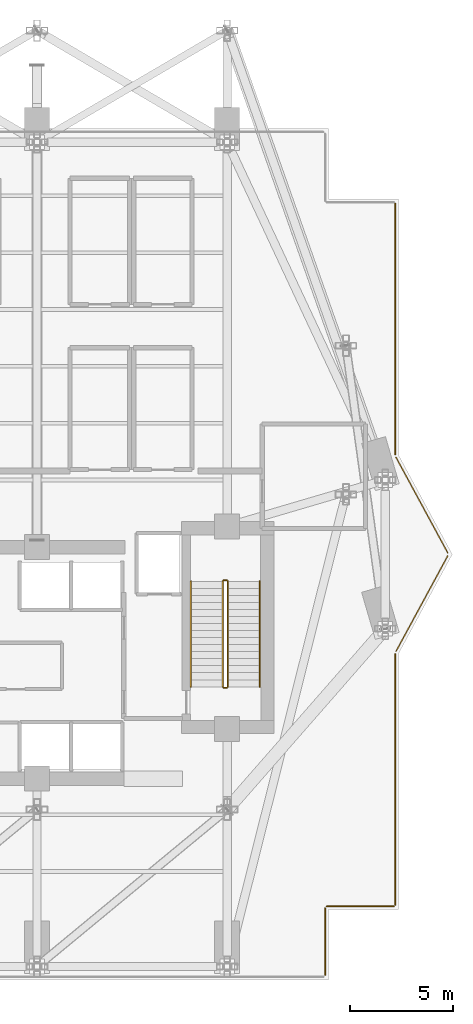
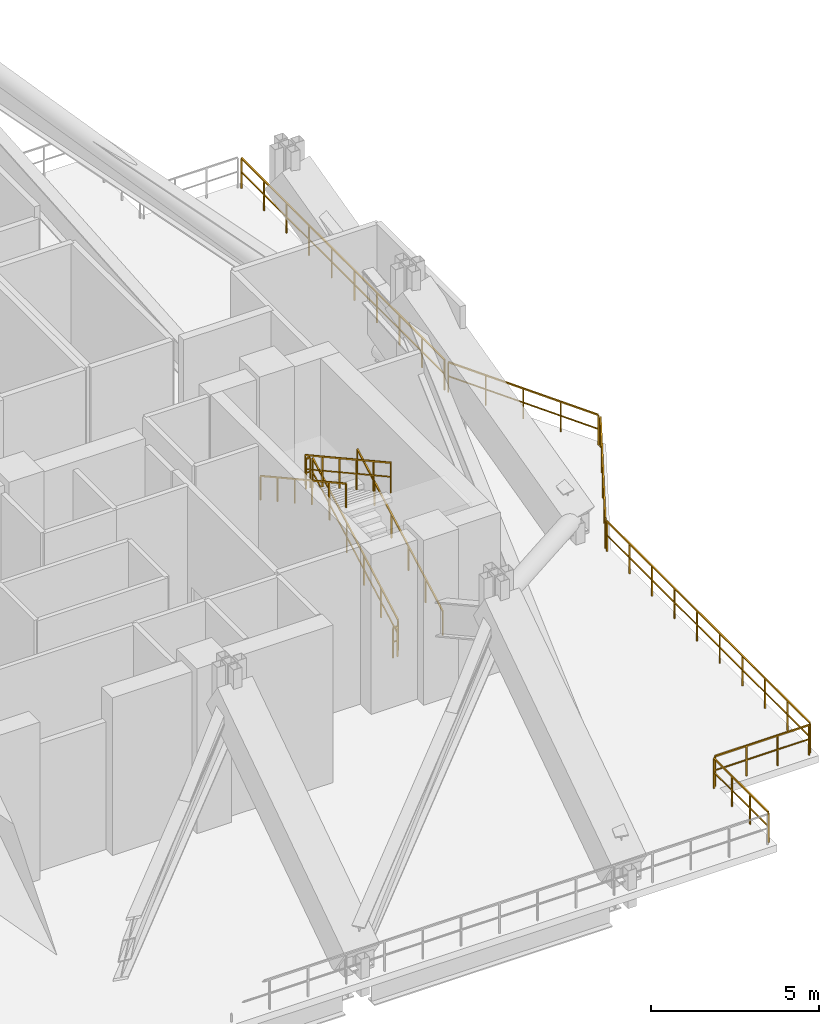
# One storey, part 17 of 18: 12 railings.
"""IFC4 building model written with IfcOpenShell, lengths in metres."""

import ifcopenshell
import ifcopenshell.guid

model = None  # the IFC model being written
_history = None  # IfcOwnerHistory: only IFC2X3 demands one
_inside = {}  # id of a spatial element -> (the spatial element, [elements in it])
_under = {}  # id of a project, library or spatial element -> (it, [spatial elements below it])
_declared = {}  # id of a project -> (the project, [libraries it declares])
_typed = {}  # id of a type object -> (the type object, [elements of that type])
_made_of = {}  # id of a material, layer set ... -> (it, [elements and type objects made of it])


def new_model(schema):
    """Start an empty IFC model of exactly this schema.

    Asked for "IFC4X3", IfcOpenShell would pick the latest addendum, in which some entities
    have other attributes; the version numbers below select the first issue.
    IFC2X3 requires an IfcOwnerHistory on every rooted entity: one is made here for all.
    """
    global model, _history
    if schema == "IFC4X3":
        model = ifcopenshell.file(schema_version=(4, 3, 0, 0))
    else:
        model = ifcopenshell.file(schema=schema)
    _inside.clear()
    _under.clear()
    _declared.clear()
    _typed.clear()
    _made_of.clear()
    _history = None
    if model.schema == "IFC2X3":
        org = make("IfcOrganization", Name="unknown")
        user = make(
            "IfcPersonAndOrganization",
            ThePerson=make("IfcPerson", FamilyName="unknown"),
            TheOrganization=org,
        )
        app = make(
            "IfcApplication",
            ApplicationDeveloper=org,
            Version="unknown",
            ApplicationFullName="unknown",
            ApplicationIdentifier="unknown",
        )
        _history = make(
            "IfcOwnerHistory",
            OwningUser=user,
            OwningApplication=app,
            ChangeAction="ADDED",
            CreationDate=0,
        )
    return model


def make(cls, **values):
    """One entity of the class cls with the attributes given. An attribute that is None is left unset."""
    return model.create_entity(
        cls, **{name: value for name, value in values.items() if value is not None}
    )


def rooted(cls, **values):
    """An entity with a GlobalId (a new one), such as an element, a storey or a relation."""
    return make(cls, GlobalId=ifcopenshell.guid.new(), OwnerHistory=_history, **values)


def si_unit(unit_type, name, prefix=None):
    """IfcSIUnit, for example si_unit("LENGTHUNIT", "METRE", prefix="MILLI")."""
    return make("IfcSIUnit", UnitType=unit_type, Prefix=prefix, Name=name)


def assignment(units):
    """IfcUnitAssignment: the units of a project."""
    return None if units is None else make("IfcUnitAssignment", Units=units)


def point(xyz):
    """IfcCartesianPoint."""
    return None if xyz is None else make("IfcCartesianPoint", Coordinates=xyz)


def direction(xyz):
    """IfcDirection."""
    return None if xyz is None else make("IfcDirection", DirectionRatios=xyz)


def frame(location, z_axis=None, x_axis=None):
    """IfcAxis2Placement3D, a coordinate frame: its origin and axes. An axis left out is left unset."""
    return make(
        "IfcAxis2Placement3D",
        Location=point(location),
        Axis=direction(z_axis),
        RefDirection=direction(x_axis),
    )


def frame_2d(location, x_axis=None):
    """IfcAxis2Placement2D, a coordinate frame in the plane: its origin and x axis."""
    return make(
        "IfcAxis2Placement2D", Location=point(location), RefDirection=direction(x_axis)
    )


def origin():
    """The frame at (0, 0, 0) with its axes left unset."""
    return frame((0.0, 0.0, 0.0))


def origin_2d():
    """The frame at (0, 0) in the plane with its x axis left unset."""
    return frame_2d((0.0, 0.0))


def place(relative_to, where):
    """IfcLocalPlacement: puts the frame where relative to a parent placement (None: the world)."""
    return make(
        "IfcLocalPlacement", PlacementRelTo=relative_to, RelativePlacement=where
    )


def context(
    kind, dimensions, precision=None, world=None, true_north=None, identifier=None
):
    """IfcGeometricRepresentationContext, for example the 3D "Model" context."""
    return make(
        "IfcGeometricRepresentationContext",
        ContextIdentifier=identifier,
        ContextType=kind,
        CoordinateSpaceDimension=dimensions,
        Precision=precision,
        WorldCoordinateSystem=world,
        TrueNorth=true_north,
    )


def subcontext(parent, identifier, kind, view, scale=None):
    """IfcGeometricRepresentationSubContext, for example "Body" below "Model"."""
    return make(
        "IfcGeometricRepresentationSubContext",
        ContextIdentifier=identifier,
        ContextType=kind,
        ParentContext=parent,
        TargetScale=scale,
        TargetView=view,
    )


def project(units=None, contexts=None):
    """IfcProject with its units and contexts."""
    return rooted(
        "IfcProject",
        Name="project",
        RepresentationContexts=contexts,
        UnitsInContext=assignment(units),
    )


def spatial(cls, under=None, at=None, **own):
    """A site, building, storey or space (cls), placed at a placement, below another one or the project."""
    s = rooted(cls, ObjectPlacement=at, **own)
    if under is not None:
        _under.setdefault(under.id(), (under, []))[1].append(s)
    return s


def profile(cls, at=None, kind="AREA", **sizes):
    """A parametric profile (cls). Its sizes go by their IFC names, for example OverallWidth=200.0."""
    return make(cls, ProfileType=kind, Position=at, **sizes)


def rectangle(**sizes):
    """IfcRectangleProfileDef."""
    return profile("IfcRectangleProfileDef", **sizes)


def extrude(swept, where, along, depth):
    """IfcExtrudedAreaSolid: the profile swept, set in the frame where, extruded along a direction by depth."""
    return make(
        "IfcExtrudedAreaSolid",
        SweptArea=swept,
        Position=where,
        ExtrudedDirection=direction(along),
        Depth=depth,
    )


def shape(context_of_items, identifier, shape_type, items):
    """IfcShapeRepresentation: the items that make up one representation, for example the "Body"."""
    return make(
        "IfcShapeRepresentation",
        ContextOfItems=context_of_items,
        RepresentationIdentifier=identifier,
        RepresentationType=shape_type,
        Items=items,
    )


def material(Name=None, Category=None):
    """IfcMaterial."""
    return make("IfcMaterial", Name=Name, Category=Category)


def made_of(thing, what):
    """Note that an element or type object is made of a material, layer set ...; save() writes the relation."""
    if what is not None:
        _made_of.setdefault(what.id(), (what, []))[1].append(thing)
    return thing


def type_object(cls, material=None, **own):
    """A type object (cls), such as IfcWallType, which elements share."""
    return made_of(rooted(cls, **own), material)


def element(
    cls,
    number,
    at=None,
    inside=None,
    cuts=None,
    type_object=None,
    material=None,
    context=None,
    identifier="Body",
    shape_type=None,
    held_by="IfcProductDefinitionShape",
    body=None,
    shapes=None,
    **own,
):
    """One element of the class cls, such as IfcWall. Its Tag is "e" and its number.

    at: its placement. inside: the storey or other place that contains it. cuts: it is an
    opening in that element (IfcRelVoidsElement). A single representation is given by context,
    identifier, shape_type and body (its items); several are given by shapes. held_by: the class
    of the entity that holds the representations. save() writes the other relations.
    """
    e = rooted(cls, Tag="e%d" % number, ObjectPlacement=at, **own)
    if body is not None:
        shapes = [shape(context, identifier, shape_type, body)]
    if shapes is not None:
        e.Representation = make(held_by, Representations=shapes)
    if inside is not None:
        _inside.setdefault(inside.id(), (inside, []))[1].append(e)
    if cuts is not None:
        rooted(
            "IfcRelVoidsElement", RelatingBuildingElement=cuts, RelatedOpeningElement=e
        )
    if type_object is not None:
        _typed.setdefault(type_object.id(), (type_object, []))[1].append(e)
    return made_of(e, material)


def aggregate(whole, parts):
    """IfcRelAggregates: a whole, such as a stair, and the parts it consists of."""
    return rooted("IfcRelAggregates", RelatingObject=whole, RelatedObjects=parts)


def save(model, path):
    """Write the relations noted so far, then the file.

    IfcRelAggregates (storeys below a building ...), IfcRelContainedInSpatialStructure (elements
    in a storey), IfcRelDefinesByType, IfcRelAssociatesMaterial and IfcRelDeclares: one each for
    every whole, place, type object, material and project.
    """
    for whole, parts in _under.values():
        aggregate(whole, parts)
    for where, things in _inside.values():
        rooted(
            "IfcRelContainedInSpatialStructure",
            RelatedElements=things,
            RelatingStructure=where,
        )
    for kind, things in _typed.values():
        rooted("IfcRelDefinesByType", RelatedObjects=things, RelatingType=kind)
    for what, things in _made_of.values():
        rooted("IfcRelAssociatesMaterial", RelatedObjects=things, RelatingMaterial=what)
    for by, libraries in _declared.values():
        rooted("IfcRelDeclares", RelatingContext=by, RelatedDefinitions=libraries)
    model.write(path)


model = new_model("IFC4")

# Units and contexts
model_context = context("Model", 3, precision=1e-05, world=origin(), true_north=direction((0.0, 1.0)))
body_context = subcontext(model_context, "Body", "Model", "MODEL_VIEW")
ifc_project = project(units=[si_unit("LENGTHUNIT", "METRE"), si_unit("AREAUNIT", "SQUARE_METRE"), si_unit("VOLUMEUNIT", "CUBIC_METRE"), si_unit("PLANEANGLEUNIT", "RADIAN"), si_unit("MASSUNIT", "GRAM", prefix="KILO")], contexts=[model_context])

# Site, building, storey
site_placement = place(None, origin())
site = spatial("IfcSite", under=ifc_project, at=site_placement, CompositionType="ELEMENT")
building_placement = place(site_placement, origin())
building = spatial("IfcBuilding", under=site, at=building_placement, Name="Zuhayl Quay Hotel", CompositionType="ELEMENT")
storey_placement = place(building_placement, frame((0.0, 0.0, 233.64990234375)))
storey = spatial("IfcBuildingStorey", under=building, at=storey_placement, Name="L59", CompositionType="ELEMENT", Elevation=233.64990234375)

# Railings
ifc_material_1 = material(Name="Anodised Aluminium and Laminated Glass", Category="aluminium")
railing_type_1 = type_object("IfcRailingType", Name="RL_EXT_BAL_1100", PredefinedType="BALUSTRADE", material=ifc_material_1)
railing_1_placement = place(storey_placement, frame((21.93994140625, 29.9599609375, 0.0)))
element("IfcRailing", 1, at=railing_1_placement, inside=storey, type_object=railing_type_1, Name="L59 Balcony and Terrace Guard GR_WIND_L59_12", PredefinedType="BALUSTRADE", context=body_context, shape_type="SweptSolid", body=[
    extrude(rectangle(XDim=0.048095703125, YDim=0.048095703125, at=origin_2d()), frame((0.0, 0.0, 1.09619140625), z_axis=(0.0, -1.0, 0.0), x_axis=(1.0, 0.0, 0.0)), (0.0, 0.0, 1.0), 12.12060546875),
    extrude(rectangle(XDim=0.0361328125, YDim=0.0361328125, at=origin_2d()), frame((0.0, 0.0, 0.58251953125), z_axis=(0.0, -1.0, 0.0), x_axis=(1.0, 0.0, 0.0)), (0.0, 0.0, 1.0), 12.12060546875),
    extrude(rectangle(XDim=0.0419921875, YDim=0.0419921875, at=origin_2d()), origin(), (0.0, 0.0, 1.0), 1.072021484375),
    extrude(rectangle(XDim=0.0419921875, YDim=0.0419921875, at=origin_2d()), frame((0.0, -1.3466796875, 0.0)), (0.0, 0.0, 1.0), 1.072021484375),
    extrude(rectangle(XDim=0.0419921875, YDim=0.0419921875, at=origin_2d()), frame((0.0, -2.693359375, 0.0)), (0.0, 0.0, 1.0), 1.072021484375),
    extrude(rectangle(XDim=0.0419921875, YDim=0.0419921875, at=origin_2d()), frame((0.0, -4.040283203125, 0.0)), (0.0, 0.0, 1.0), 1.072021484375),
    extrude(rectangle(XDim=0.0419921875, YDim=0.0419921875, at=origin_2d()), frame((0.0, -5.386962890625, 0.0)), (0.0, 0.0, 1.0), 1.072021484375),
    extrude(rectangle(XDim=0.0419921875, YDim=0.0419921875, at=origin_2d()), frame((0.0, -6.733642578125, 0.0)), (0.0, 0.0, 1.0), 1.072021484375),
    extrude(rectangle(XDim=0.0419921875, YDim=0.0419921875, at=origin_2d()), frame((0.0, -8.080322265625, 0.0)), (0.0, 0.0, 1.0), 1.072021484375),
    extrude(rectangle(XDim=0.0419921875, YDim=0.0419921875, at=origin_2d()), frame((0.0, -9.42724609375, 0.0)), (0.0, 0.0, 1.0), 1.072021484375),
    extrude(rectangle(XDim=0.0419921875, YDim=0.0419921875, at=origin_2d()), frame((0.0, -10.77392578125, 0.0)), (0.0, 0.0, 1.0), 1.072021484375),
    extrude(rectangle(XDim=0.0419921875, YDim=0.0419921875, at=origin_2d()), frame((0.0, -12.12060546875, 0.0)), (0.0, 0.0, 1.0), 1.072021484375),
])
railing_2_placement = place(storey_placement, frame((21.97802734375, 17.689208984375, 0.0)))
element("IfcRailing", 2, at=railing_2_placement, inside=storey, type_object=railing_type_1, Name="L59 Balcony and Terrace Guard GR_WIND_L59_13", PredefinedType="BALUSTRADE", context=body_context, shape_type="SweptSolid", body=[
    extrude(rectangle(XDim=0.048095703125, YDim=0.048095703125, at=origin_2d()), frame((0.0, 0.0, 1.09619140625), z_axis=(0.476290634663, -0.879287911513, 0.0), x_axis=(0.879287911513, 0.476290634663, 0.0)), (0.0, 0.0, 1.0), 5.2529296875),
    extrude(rectangle(XDim=0.0361328125, YDim=0.0361328125, at=origin_2d()), frame((0.0, 0.0, 0.58251953125), z_axis=(0.476290634663, -0.879287911513, 0.0), x_axis=(0.879287911513, 0.476290634663, 0.0)), (0.0, 0.0, 1.0), 5.2529296875),
    extrude(rectangle(XDim=0.0419921875, YDim=0.0419921875, at=origin_2d()), origin(), (0.0, 0.0, 1.0), 1.072021484375),
    extrude(rectangle(XDim=0.0419921875, YDim=0.0419921875, at=origin_2d()), frame((0.62548828125, -1.15478515625, 0.0)), (0.0, 0.0, 1.0), 1.072021484375),
    extrude(rectangle(XDim=0.0419921875, YDim=0.0419921875, at=origin_2d()), frame((1.2509765625, -2.3095703125, 0.0)), (0.0, 0.0, 1.0), 1.072021484375),
    extrude(rectangle(XDim=0.0419921875, YDim=0.0419921875, at=origin_2d()), frame((1.87646484375, -3.464111328125, 0.0)), (0.0, 0.0, 1.0), 1.072021484375),
    extrude(rectangle(XDim=0.0419921875, YDim=0.0419921875, at=origin_2d()), frame((2.501953125, -4.618896484375, 0.0)), (0.0, 0.0, 1.0), 1.072021484375),
])
railing_3_placement = place(storey_placement, frame((24.47998046875, 12.9296875, 0.0)))
element("IfcRailing", 3, at=railing_3_placement, inside=storey, type_object=railing_type_1, Name="L59 Balcony and Terrace Guard GR_WIND_L59_14", PredefinedType="BALUSTRADE", context=body_context, shape_type="SweptSolid", body=[
    extrude(rectangle(XDim=0.048095703125, YDim=0.048095703125, at=origin_2d()), frame((0.0, 0.0, 1.09619140625), z_axis=(-0.476290634663, -0.879287911513, 0.0), x_axis=(0.879287911513, -0.476290634663, 0.0)), (0.0, 0.0, 1.0), 5.2529296875),
    extrude(rectangle(XDim=0.0361328125, YDim=0.0361328125, at=origin_2d()), frame((0.0, 0.0, 0.58251953125), z_axis=(-0.476290634663, -0.879287911513, 0.0), x_axis=(0.879287911513, -0.476290634663, 0.0)), (0.0, 0.0, 1.0), 5.2529296875),
    extrude(rectangle(XDim=0.0419921875, YDim=0.0419921875, at=origin_2d()), origin(), (0.0, 0.0, 1.0), 1.072021484375),
    extrude(rectangle(XDim=0.0419921875, YDim=0.0419921875, at=origin_2d()), frame((-0.62548828125, -1.15478515625, 0.0)), (0.0, 0.0, 1.0), 1.072021484375),
    extrude(rectangle(XDim=0.0419921875, YDim=0.0419921875, at=origin_2d()), frame((-1.2509765625, -2.3095703125, 0.0)), (0.0, 0.0, 1.0), 1.072021484375),
    extrude(rectangle(XDim=0.0419921875, YDim=0.0419921875, at=origin_2d()), frame((-1.87646484375, -3.464111328125, 0.0)), (0.0, 0.0, 1.0), 1.072021484375),
    extrude(rectangle(XDim=0.0419921875, YDim=0.0419921875, at=origin_2d()), frame((-2.501953125, -4.618896484375, 0.0)), (0.0, 0.0, 1.0), 1.072021484375),
])
railing_4_placement = place(storey_placement, frame((21.93994140625, 8.16064453125, 0.0)))
element("IfcRailing", 4, at=railing_4_placement, inside=storey, type_object=railing_type_1, Name="L59 Balcony and Terrace Guard GR_WIND_L59_15", PredefinedType="BALUSTRADE", context=body_context, shape_type="SweptSolid", body=[
    extrude(rectangle(XDim=0.048095703125, YDim=0.048095703125, at=origin_2d()), frame((0.0, 0.0, 1.09619140625), z_axis=(0.0, -1.0, 0.0), x_axis=(1.0, 0.0, 0.0)), (0.0, 0.0, 1.0), 12.12060546875),
    extrude(rectangle(XDim=0.0361328125, YDim=0.0361328125, at=origin_2d()), frame((0.0, 0.0, 0.58251953125), z_axis=(0.0, -1.0, 0.0), x_axis=(1.0, 0.0, 0.0)), (0.0, 0.0, 1.0), 12.12060546875),
    extrude(rectangle(XDim=0.0419921875, YDim=0.0419921875, at=origin_2d()), origin(), (0.0, 0.0, 1.0), 1.072021484375),
    extrude(rectangle(XDim=0.0419921875, YDim=0.0419921875, at=origin_2d()), frame((0.0, -1.3466796875, 0.0)), (0.0, 0.0, 1.0), 1.072021484375),
    extrude(rectangle(XDim=0.0419921875, YDim=0.0419921875, at=origin_2d()), frame((0.0, -2.693359375, 0.0)), (0.0, 0.0, 1.0), 1.072021484375),
    extrude(rectangle(XDim=0.0419921875, YDim=0.0419921875, at=origin_2d()), frame((0.0, -4.040283203125, 0.0)), (0.0, 0.0, 1.0), 1.072021484375),
    extrude(rectangle(XDim=0.0419921875, YDim=0.0419921875, at=origin_2d()), frame((0.0, -5.386962890625, 0.0)), (0.0, 0.0, 1.0), 1.072021484375),
    extrude(rectangle(XDim=0.0419921875, YDim=0.0419921875, at=origin_2d()), frame((0.0, -6.733642578125, 0.0)), (0.0, 0.0, 1.0), 1.072021484375),
    extrude(rectangle(XDim=0.0419921875, YDim=0.0419921875, at=origin_2d()), frame((0.0, -8.080322265625, 0.0)), (0.0, 0.0, 1.0), 1.072021484375),
    extrude(rectangle(XDim=0.0419921875, YDim=0.0419921875, at=origin_2d()), frame((0.0, -9.42724609375, 0.0)), (0.0, 0.0, 1.0), 1.072021484375),
    extrude(rectangle(XDim=0.0419921875, YDim=0.0419921875, at=origin_2d()), frame((0.0, -10.77392578125, 0.0)), (0.0, 0.0, 1.0), 1.072021484375),
    extrude(rectangle(XDim=0.0419921875, YDim=0.0419921875, at=origin_2d()), frame((0.0, -12.12060546875, 0.0)), (0.0, 0.0, 1.0), 1.072021484375),
])
railing_5_placement = place(storey_placement, frame((21.860107421875, -4.0400390625, 0.0)))
element("IfcRailing", 5, at=railing_5_placement, inside=storey, type_object=railing_type_1, Name="L59 Balcony and Terrace Guard GR_WIND_L59_16", PredefinedType="BALUSTRADE", context=body_context, shape_type="SweptSolid", body=[
    extrude(rectangle(XDim=0.048095703125, YDim=0.048095703125, at=origin_2d()), frame((0.0, 0.0, 1.09619140625), z_axis=(-1.0, 0.0, 0.0), x_axis=(0.0, -1.0, 0.0)), (0.0, 0.0, 1.0), 3.239990234375),
    extrude(rectangle(XDim=0.0361328125, YDim=0.0361328125, at=origin_2d()), frame((0.0, 0.0, 0.58251953125), z_axis=(-1.0, 0.0, 0.0), x_axis=(0.0, -1.0, 0.0)), (0.0, 0.0, 1.0), 3.239990234375),
    extrude(rectangle(XDim=0.0419921875, YDim=0.0419921875, at=origin_2d()), origin(), (0.0, 0.0, 1.0), 1.072021484375),
    extrude(rectangle(XDim=0.0419921875, YDim=0.0419921875, at=origin_2d()), frame((-1.080078125, 0.0, 0.0)), (0.0, 0.0, 1.0), 1.072021484375),
    extrude(rectangle(XDim=0.0419921875, YDim=0.0419921875, at=origin_2d()), frame((-2.159912109375, 0.0, 0.0)), (0.0, 0.0, 1.0), 1.072021484375),
    extrude(rectangle(XDim=0.0419921875, YDim=0.0419921875, at=origin_2d()), frame((-3.239990234375, 0.0, 0.0)), (0.0, 0.0, 1.0), 1.072021484375),
])
railing_6_placement = place(storey_placement, frame((18.5400390625, -4.1201171875, 0.0)))
element("IfcRailing", 6, at=railing_6_placement, inside=storey, type_object=railing_type_1, Name="L59 Balcony and Terrace Guard GR_WIND_L59_17", PredefinedType="BALUSTRADE", context=body_context, shape_type="SweptSolid", body=[
    extrude(rectangle(XDim=0.048095703125, YDim=0.048095703125, at=origin_2d()), frame((0.0, 0.0, 1.09619140625), z_axis=(0.0, -1.0, 0.0), x_axis=(1.0, 0.0, 0.0)), (0.0, 0.0, 1.0), 3.239990234375),
    extrude(rectangle(XDim=0.0361328125, YDim=0.0361328125, at=origin_2d()), frame((0.0, 0.0, 0.58251953125), z_axis=(0.0, -1.0, 0.0), x_axis=(1.0, 0.0, 0.0)), (0.0, 0.0, 1.0), 3.239990234375),
    extrude(rectangle(XDim=0.0419921875, YDim=0.0419921875, at=origin_2d()), origin(), (0.0, 0.0, 1.0), 1.072021484375),
    extrude(rectangle(XDim=0.0419921875, YDim=0.0419921875, at=origin_2d()), frame((0.0, -1.080078125, 0.0)), (0.0, 0.0, 1.0), 1.072021484375),
    extrude(rectangle(XDim=0.0419921875, YDim=0.0419921875, at=origin_2d()), frame((0.0, -2.159912109375, 0.0)), (0.0, 0.0, 1.0), 1.072021484375),
    extrude(rectangle(XDim=0.0419921875, YDim=0.0419921875, at=origin_2d()), frame((0.0, -3.239990234375, 0.0)), (0.0, 0.0, 1.0), 1.072021484375),
])
ifc_material_2 = material(Name="Steel ASTM A992 Grade 50", Category="steel")
railing_type_2 = type_object("IfcRailingType", Name="RL_GUARD_1100", PredefinedType="GUARDRAIL", material=ifc_material_2)
railing_7_placement = place(storey_placement, frame((13.840087890625, 6.590087890625, 0.1875)))
element("IfcRailing", 7, at=railing_7_placement, inside=storey, type_object=railing_type_2, Name="L59 ST2 stair guard 1", PredefinedType="GUARDRAIL", context=body_context, shape_type="SweptSolid", body=[
    extrude(rectangle(XDim=0.048095703125, YDim=0.048095703125, at=origin_2d()), frame((0.0, 0.0, 1.09619140625), z_axis=(0.0, 0.875665712831, 0.482917756322), x_axis=(-1.0, 0.0, 0.0)), (0.0, 0.0, 1.0), 5.823974609375),
    extrude(rectangle(XDim=0.0361328125, YDim=0.0361328125, at=origin_2d()), frame((0.0, 0.0, 0.58251953125), z_axis=(0.0, 0.875665712831, 0.482917756322), x_axis=(-1.0, 0.0, 0.0)), (0.0, 0.0, 1.0), 5.823974609375),
    extrude(rectangle(XDim=0.0419921875, YDim=0.0419921875, at=origin_2d()), origin(), (0.0, 0.0, 1.0), 1.072021484375),
    extrude(rectangle(XDim=0.0419921875, YDim=0.0419921875, at=origin_2d()), frame((0.0, 1.02001953125, 0.5625)), (0.0, 0.0, 1.0), 1.072021484375),
    extrude(rectangle(XDim=0.0419921875, YDim=0.0419921875, at=origin_2d()), frame((0.0, 2.0400390625, 1.125)), (0.0, 0.0, 1.0), 1.072021484375),
    extrude(rectangle(XDim=0.0419921875, YDim=0.0419921875, at=origin_2d()), frame((0.0, 3.059814453125, 1.6875)), (0.0, 0.0, 1.0), 1.072021484375),
    extrude(rectangle(XDim=0.0419921875, YDim=0.0419921875, at=origin_2d()), frame((0.0, 4.079833984375, 2.25)), (0.0, 0.0, 1.0), 1.072021484375),
    extrude(rectangle(XDim=0.0419921875, YDim=0.0419921875, at=origin_2d()), frame((0.0, 5.099853515625, 2.8125)), (0.0, 0.0, 1.0), 1.072021484375),
])
railing_8_placement = place(storey_placement, frame((13.7900390625, 11.739990234375, 3.0)))
element("IfcRailing", 8, at=railing_8_placement, inside=storey, type_object=railing_type_2, Name="L59 ST2 stair guard 2", PredefinedType="GUARDRAIL", context=body_context, shape_type="SweptSolid", body=[
    extrude(rectangle(XDim=0.048095703125, YDim=0.048095703125, at=origin_2d()), frame((0.0, 0.0, 1.09619140625), z_axis=(-1.0, 0.0, 0.0), x_axis=(0.0, -1.0, 0.0)), (0.0, 0.0, 1.0), 0.150146484375),
    extrude(rectangle(XDim=0.0361328125, YDim=0.0361328125, at=origin_2d()), frame((0.0, 0.0, 0.58251953125), z_axis=(-1.0, 0.0, 0.0), x_axis=(0.0, -1.0, 0.0)), (0.0, 0.0, 1.0), 0.150146484375),
    extrude(rectangle(XDim=0.0419921875, YDim=0.0419921875, at=origin_2d()), origin(), (0.0, 0.0, 1.0), 1.072021484375),
    extrude(rectangle(XDim=0.0419921875, YDim=0.0419921875, at=origin_2d()), frame((-0.150146484375, 0.0, 0.0)), (0.0, 0.0, 1.0), 1.072021484375),
])
railing_9_placement = place(storey_placement, frame((13.590087890625, 11.68994140625, 3.1875)))
element("IfcRailing", 9, at=railing_9_placement, inside=storey, type_object=railing_type_2, Name="L59 ST2 stair guard 3", PredefinedType="GUARDRAIL", context=body_context, shape_type="SweptSolid", body=[
    extrude(rectangle(XDim=0.048095703125, YDim=0.048095703125, at=origin_2d()), frame((0.0, 0.0, 1.09619140625), z_axis=(0.0, -0.875665712831, 0.482917756322), x_axis=(1.0, 0.0, 0.0)), (0.0, 0.0, 1.0), 5.823974609375),
    extrude(rectangle(XDim=0.0361328125, YDim=0.0361328125, at=origin_2d()), frame((0.0, 0.0, 0.58251953125), z_axis=(0.0, -0.875665712831, 0.482917756322), x_axis=(1.0, 0.0, 0.0)), (0.0, 0.0, 1.0), 5.823974609375),
    extrude(rectangle(XDim=0.0419921875, YDim=0.0419921875, at=origin_2d()), origin(), (0.0, 0.0, 1.0), 1.072021484375),
    extrude(rectangle(XDim=0.0419921875, YDim=0.0419921875, at=origin_2d()), frame((0.0, -1.02001953125, 0.5625)), (0.0, 0.0, 1.0), 1.072021484375),
    extrude(rectangle(XDim=0.0419921875, YDim=0.0419921875, at=origin_2d()), frame((0.0, -2.0400390625, 1.125)), (0.0, 0.0, 1.0), 1.072021484375),
    extrude(rectangle(XDim=0.0419921875, YDim=0.0419921875, at=origin_2d()), frame((0.0, -3.059814453125, 1.6875)), (0.0, 0.0, 1.0), 1.072021484375),
    extrude(rectangle(XDim=0.0419921875, YDim=0.0419921875, at=origin_2d()), frame((0.0, -4.079833984375, 2.25)), (0.0, 0.0, 1.0), 1.072021484375),
    extrude(rectangle(XDim=0.0419921875, YDim=0.0419921875, at=origin_2d()), frame((0.0, -5.099853515625, 2.8125)), (0.0, 0.0, 1.0), 1.072021484375),
])
railing_10_placement = place(storey_placement, frame((13.7900390625, 6.5400390625, 0.0)))
element("IfcRailing", 10, at=railing_10_placement, inside=storey, type_object=railing_type_2, Name="L59 ST2 stair guard 4", PredefinedType="GUARDRAIL", context=body_context, shape_type="SweptSolid", body=[
    extrude(rectangle(XDim=0.048095703125, YDim=0.048095703125, at=origin_2d()), frame((0.0, 0.0, 1.09619140625), z_axis=(-1.0, 0.0, 0.0), x_axis=(0.0, -1.0, 0.0)), (0.0, 0.0, 1.0), 0.150146484375),
    extrude(rectangle(XDim=0.0361328125, YDim=0.0361328125, at=origin_2d()), frame((0.0, 0.0, 0.58251953125), z_axis=(-1.0, 0.0, 0.0), x_axis=(0.0, -1.0, 0.0)), (0.0, 0.0, 1.0), 0.150146484375),
    extrude(rectangle(XDim=0.0419921875, YDim=0.0419921875, at=origin_2d()), origin(), (0.0, 0.0, 1.0), 1.072021484375),
    extrude(rectangle(XDim=0.0419921875, YDim=0.0419921875, at=origin_2d()), frame((-0.150146484375, 0.0, 0.0)), (0.0, 0.0, 1.0), 1.072021484375),
])
railing_type_3 = type_object("IfcRailingType", Name="RL_HANDRAIL_920", PredefinedType="HANDRAIL", material=ifc_material_2)
railing_11_placement = place(storey_placement, frame((15.3798828125, 6.590087890625, 0.1875)))
element("IfcRailing", 11, at=railing_11_placement, inside=storey, type_object=railing_type_3, Name="L59 ST2 stair handrail 1", PredefinedType="HANDRAIL", context=body_context, shape_type="SweptSolid", body=[
    extrude(rectangle(XDim=0.048095703125, YDim=0.048095703125, at=origin_2d()), frame((0.0, 0.0, 0.8759765625), z_axis=(0.0, 0.875665712831, 0.482917756322), x_axis=(-1.0, 0.0, 0.0)), (0.0, 0.0, 1.0), 5.823974609375),
    extrude(rectangle(XDim=0.0419921875, YDim=0.0419921875, at=origin_2d()), origin(), (0.0, 0.0, 1.0), 0.851806640625),
    extrude(rectangle(XDim=0.0419921875, YDim=0.0419921875, at=origin_2d()), frame((0.0, 1.02001953125, 0.5625)), (0.0, 0.0, 1.0), 0.851806640625),
    extrude(rectangle(XDim=0.0419921875, YDim=0.0419921875, at=origin_2d()), frame((0.0, 2.0400390625, 1.125)), (0.0, 0.0, 1.0), 0.851806640625),
    extrude(rectangle(XDim=0.0419921875, YDim=0.0419921875, at=origin_2d()), frame((0.0, 3.059814453125, 1.6875)), (0.0, 0.0, 1.0), 0.851806640625),
    extrude(rectangle(XDim=0.0419921875, YDim=0.0419921875, at=origin_2d()), frame((0.0, 4.079833984375, 2.25)), (0.0, 0.0, 1.0), 0.851806640625),
    extrude(rectangle(XDim=0.0419921875, YDim=0.0419921875, at=origin_2d()), frame((0.0, 5.099853515625, 2.8125)), (0.0, 0.0, 1.0), 0.851806640625),
])
railing_12_placement = place(storey_placement, frame((12.050048828125, 11.68994140625, 3.1875)))
element("IfcRailing", 12, at=railing_12_placement, inside=storey, type_object=railing_type_3, Name="L59 ST2 stair handrail 2", PredefinedType="HANDRAIL", context=body_context, shape_type="SweptSolid", body=[
    extrude(rectangle(XDim=0.048095703125, YDim=0.048095703125, at=origin_2d()), frame((0.0, 0.0, 0.8759765625), z_axis=(0.0, -0.875665712831, 0.482917756322), x_axis=(1.0, 0.0, 0.0)), (0.0, 0.0, 1.0), 5.823974609375),
    extrude(rectangle(XDim=0.0419921875, YDim=0.0419921875, at=origin_2d()), origin(), (0.0, 0.0, 1.0), 0.851806640625),
    extrude(rectangle(XDim=0.0419921875, YDim=0.0419921875, at=origin_2d()), frame((0.0, -1.02001953125, 0.5625)), (0.0, 0.0, 1.0), 0.851806640625),
    extrude(rectangle(XDim=0.0419921875, YDim=0.0419921875, at=origin_2d()), frame((0.0, -2.0400390625, 1.125)), (0.0, 0.0, 1.0), 0.851806640625),
    extrude(rectangle(XDim=0.0419921875, YDim=0.0419921875, at=origin_2d()), frame((0.0, -3.059814453125, 1.6875)), (0.0, 0.0, 1.0), 0.851806640625),
    extrude(rectangle(XDim=0.0419921875, YDim=0.0419921875, at=origin_2d()), frame((0.0, -4.079833984375, 2.25)), (0.0, 0.0, 1.0), 0.851806640625),
    extrude(rectangle(XDim=0.0419921875, YDim=0.0419921875, at=origin_2d()), frame((0.0, -5.099853515625, 2.8125)), (0.0, 0.0, 1.0), 0.851806640625),
])

save(model, "model.ifc")
